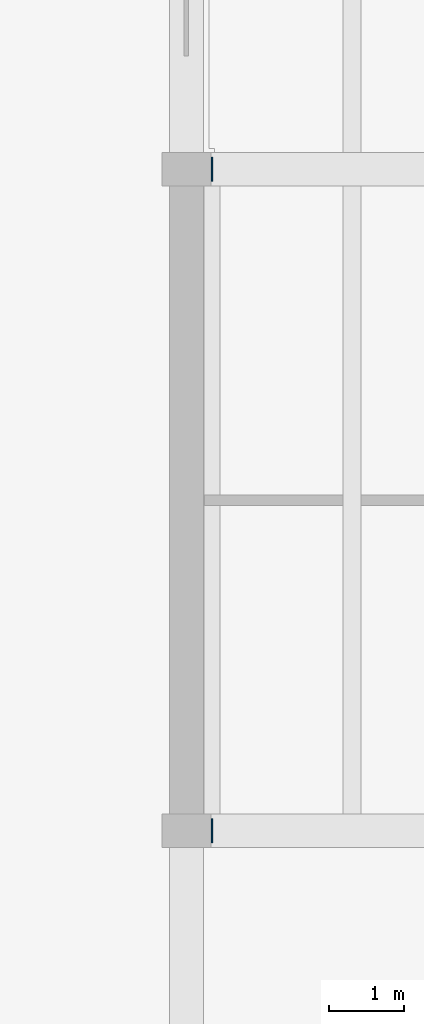
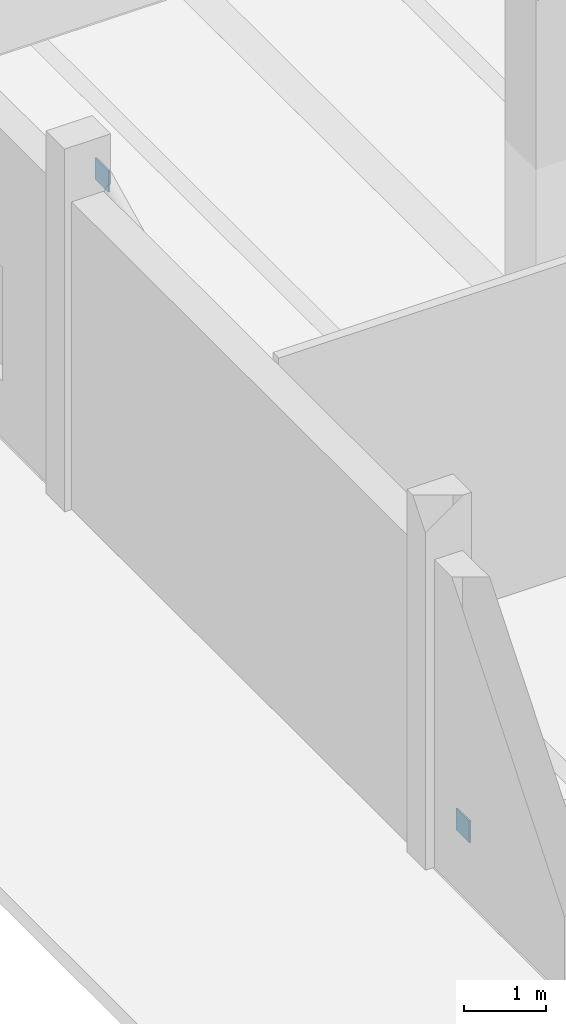
# One storey, part 41 of 72: 2 plates.
"""IFC4 building model written with IfcOpenShell, lengths in metres."""

from ifc_helpers import new_model, si_unit, direction, frame, origin, origin_2d, place, context, subcontext, project, spatial, rectangle, extrude, material, layer, layer_set, type_object, element, save


model = new_model("IFC4")

# Units and contexts
model_context = context("Model", 3, precision=1e-05, world=origin(), true_north=direction((0.0, 1.0)))
body_context = subcontext(model_context, "Body", "Model", "MODEL_VIEW")
ifc_project = project(units=[si_unit("LENGTHUNIT", "METRE"), si_unit("AREAUNIT", "SQUARE_METRE"), si_unit("VOLUMEUNIT", "CUBIC_METRE"), si_unit("PLANEANGLEUNIT", "RADIAN"), si_unit("MASSUNIT", "GRAM", prefix="KILO")], contexts=[model_context])

# Site, building, storey
site_placement = place(None, origin())
site = spatial("IfcSite", under=ifc_project, at=site_placement, CompositionType="ELEMENT")
building_placement = place(site_placement, origin())
building = spatial("IfcBuilding", under=site, at=building_placement, Name="Dornvale Research Institute", CompositionType="ELEMENT")
storey_placement = place(building_placement, origin())
storey = spatial("IfcBuildingStorey", under=building, at=storey_placement, Name="L00", CompositionType="ELEMENT", Elevation=0.0)

# Plates
ifc_material = material(Name="Steel ASTM A572 Grade 50", Category="steel")
ifc_layer = layer(ifc_material, 0.02490234375)
ifc_layer_set = layer_set([ifc_layer], Name="Steel ASTM A572 Grade 50")
plate_type = type_object("IfcPlateType", Name="SheetPlate_EndCap_25", PredefinedType="SHEET", material=ifc_layer_set)
for number, where, z_axis, x_axis, name in (
    (1, (99.340087890625, 8.800048828125, 0.14013671875), (0.0, 0.0, 1.0), (0.0, 1.0, 0.0), "HSS brace node gusset and cap plate ND-051"),
    (2, (99.340087890625, 17.60009765625, 4.48974609375), (0.0, 0.0, 1.0), (0.0, 1.0, 0.0), "HSS brace node gusset and cap plate ND-052"),
):
    element("IfcPlate", number, at=place(storey_placement, frame(where, z_axis=z_axis, x_axis=x_axis)), inside=storey, type_object=plate_type, Name=name, PredefinedType="SHEET", context=body_context, shape_type="SweptSolid", body=[
        extrude(rectangle(XDim=0.320068359375, YDim=0.02490234375, at=origin_2d()), origin(), (0.0, 0.0, 1.0), 0.320068359375),
    ])

save(model, "model.ifc")
